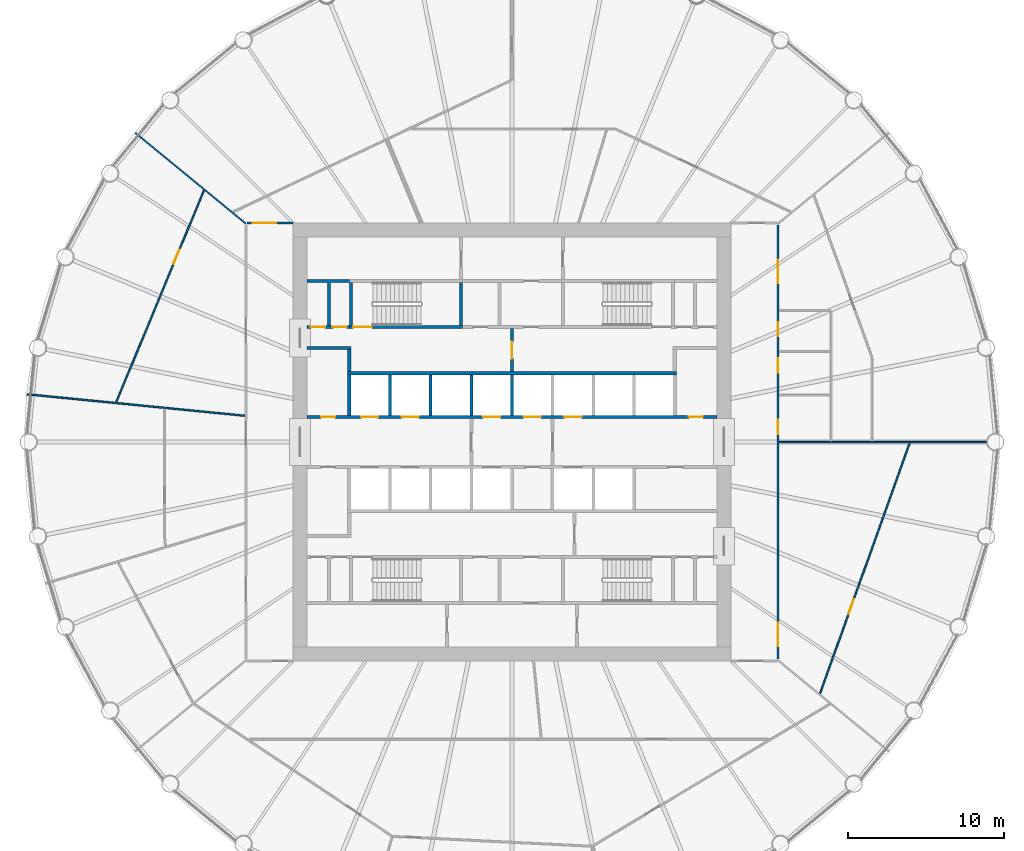
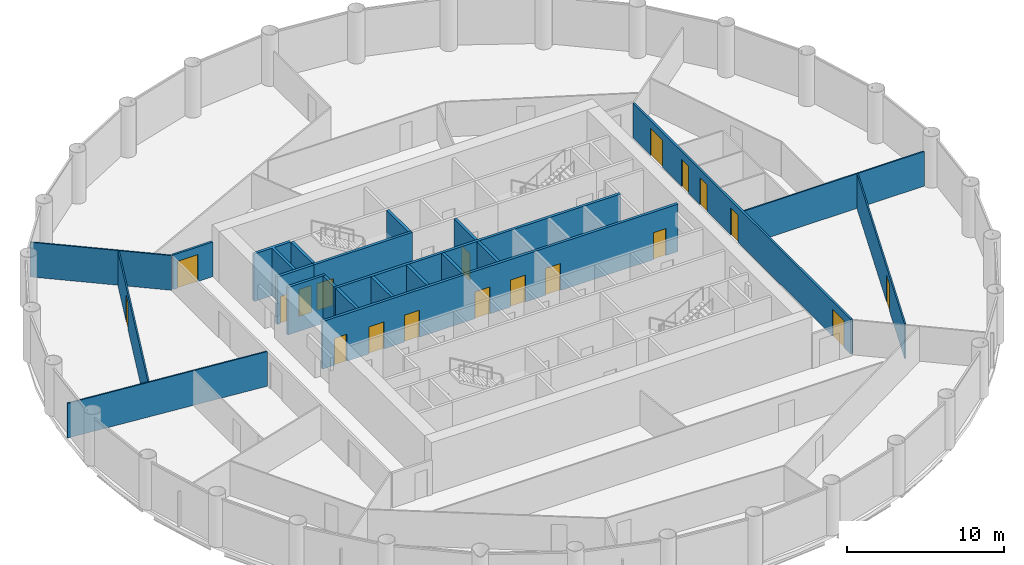
# One storey, part 6 of 9: 22 walls, 19 doors, 19 openings.
"""IFC4 building model written with IfcOpenShell, lengths in metres."""

from ifc_helpers import new_model, si_unit, direction, frame, frame_2d, origin, place, context, subcontext, project, spatial, polyline, rectangle, outline, extrude, material, layer, layer_set, type_object, element, fill, save


model = new_model("IFC4")

# Units and contexts
model_context = context("Model", 3, precision=1e-05, world=origin(), true_north=direction((0.0, 1.0)))
body_context = subcontext(model_context, "Body", "Model", "MODEL_VIEW")
ifc_project = project(units=[si_unit("LENGTHUNIT", "METRE"), si_unit("AREAUNIT", "SQUARE_METRE"), si_unit("VOLUMEUNIT", "CUBIC_METRE"), si_unit("PLANEANGLEUNIT", "RADIAN"), si_unit("MASSUNIT", "GRAM", prefix="KILO")], contexts=[model_context])

# Site, building, storey
site_placement = place(None, origin())
site = spatial("IfcSite", under=ifc_project, at=site_placement, CompositionType="ELEMENT")
building_placement = place(site_placement, origin())
building = spatial("IfcBuilding", under=site, at=building_placement, Name="Corvane Civic Tower", CompositionType="ELEMENT")
storey_placement = place(building_placement, frame((0.0, 0.0, 148.0)))
storey = spatial("IfcBuildingStorey", under=building, at=storey_placement, Name="L34", CompositionType="ELEMENT", Elevation=148.0)

# Wall, openings, doors
ifc_material_1 = material(Name="Concrete C30/37", Category="concrete")
ifc_layer_1 = layer(ifc_material_1, 0.199951171875)
ifc_layer_set_1 = layer_set([ifc_layer_1], Name="Concrete C30/37")
wall_type_1 = type_object("IfcWallType", Name="CR-WALL-200", PredefinedType="PARTITIONING", material=ifc_layer_set_1)
wall_1_placement = place(storey_placement, frame((-13.10009765625, 1.60009765625, 0.0), z_axis=(0.0, 0.0, 1.0), x_axis=(1.0, 0.0, 0.0)))
wall_1 = element("IfcWall", 1, at=wall_1_placement, inside=storey, type_object=wall_type_1, Name="L34 lift shaft wall", PredefinedType="PARTITIONING", context=body_context, shape_type="SweptSolid", body=[
    extrude(rectangle(XDim=26.2001953125, YDim=0.199951171875, at=frame_2d((13.10009765625, 0.0))), origin(), (0.0, 0.0, 1.0), 3.699951171875),
])
opening_1_placement = place(wall_1_placement, frame((3.449951171875, 0.0, 0.0)))
opening_1 = element("IfcOpeningElement", 2, at=opening_1_placement, cuts=wall_1, Name="Opening LD", PredefinedType="OPENING", context=body_context, shape_type="SweptSolid", body=[
    extrude(rectangle(XDim=1.10009765625, YDim=2.10009765625, at=frame_2d((0.550048828125, 1.050048828125))), frame((0.0, 0.10986328125, 0.0), z_axis=(0.0, -1.0, 0.0), x_axis=(1.0, 0.0, 0.0)), (0.0, 0.0, 1.0), 0.219970703125),
])
opening_2_placement = place(wall_1_placement, frame((6.050048828125, 0.0, 0.0)))
opening_2 = element("IfcOpeningElement", 3, at=opening_2_placement, cuts=wall_1, Name="Opening LD", PredefinedType="OPENING", context=body_context, shape_type="SweptSolid", body=[
    extrude(rectangle(XDim=1.10009765625, YDim=2.10009765625, at=frame_2d((0.550048828125, 1.050048828125))), frame((0.0, 0.10986328125, 0.0), z_axis=(0.0, -1.0, 0.0), x_axis=(1.0, 0.0, 0.0)), (0.0, 0.0, 1.0), 0.219970703125),
])
opening_3_placement = place(wall_1_placement, frame((11.25, 0.0, 0.0)))
opening_3 = element("IfcOpeningElement", 4, at=opening_3_placement, cuts=wall_1, Name="Opening LD", PredefinedType="OPENING", context=body_context, shape_type="SweptSolid", body=[
    extrude(rectangle(XDim=1.10009765625, YDim=2.10009765625, at=frame_2d((0.550048828125, 1.050048828125))), frame((0.0, 0.10986328125, 0.0), z_axis=(0.0, -1.0, 0.0), x_axis=(1.0, 0.0, 0.0)), (0.0, 0.0, 1.0), 0.219970703125),
])
opening_4_placement = place(wall_1_placement, frame((13.85009765625, 0.0, 0.0)))
opening_4 = element("IfcOpeningElement", 5, at=opening_4_placement, cuts=wall_1, Name="Opening LD", PredefinedType="OPENING", context=body_context, shape_type="SweptSolid", body=[
    extrude(rectangle(XDim=1.10009765625, YDim=2.10009765625, at=frame_2d((0.550048828125, 1.050048828125))), frame((0.0, 0.10986328125, 0.0), z_axis=(0.0, -1.0, 0.0), x_axis=(1.0, 0.0, 0.0)), (0.0, 0.0, 1.0), 0.219970703125),
])
opening_5_placement = place(wall_1_placement, frame((16.449951171875, 0.0, 0.0)))
opening_5 = element("IfcOpeningElement", 6, at=opening_5_placement, cuts=wall_1, Name="Opening LD", PredefinedType="OPENING", context=body_context, shape_type="SweptSolid", body=[
    extrude(rectangle(XDim=1.10009765625, YDim=2.10009765625, at=frame_2d((0.550048828125, 1.050048828125))), frame((0.0, 0.10986328125, 0.0), z_axis=(0.0, -1.0, 0.0), x_axis=(1.0, 0.0, 0.0)), (0.0, 0.0, 1.0), 0.219970703125),
])
opening_6_placement = place(wall_1_placement, frame((0.89990234375, 0.0, 0.0)))
opening_6 = element("IfcOpeningElement", 7, at=opening_6_placement, cuts=wall_1, Name="Opening L34.C01", PredefinedType="OPENING", context=body_context, shape_type="SweptSolid", body=[
    extrude(rectangle(XDim=0.89990234375, YDim=2.10009765625, at=frame_2d((0.449951171875, 1.050048828125))), frame((0.0, 0.10986328125, 0.0), z_axis=(0.0, -1.0, 0.0), x_axis=(1.0, 0.0, 0.0)), (0.0, 0.0, 1.0), 0.219970703125),
])
opening_7_placement = place(wall_1_placement, frame((24.39990234375, 0.0, 0.0)))
opening_7 = element("IfcOpeningElement", 8, at=opening_7_placement, cuts=wall_1, Name="Opening L34.C02", PredefinedType="OPENING", context=body_context, shape_type="SweptSolid", body=[
    extrude(rectangle(XDim=0.89990234375, YDim=2.10009765625, at=frame_2d((0.449951171875, 1.050048828125))), frame((0.0, 0.10986328125, 0.0), z_axis=(0.0, -1.0, 0.0), x_axis=(1.0, 0.0, 0.0)), (0.0, 0.0, 1.0), 0.219970703125),
])
ifc_material_2 = material(Name="Steel fire door leaf", Category="steel")
door_type_1 = type_object("IfcDoorType", Name="CR-DOOR-900", OperationType="SINGLE_SWING_LEFT", PredefinedType="DOOR", material=ifc_material_2)
door_1_placement = place(opening_6_placement, origin())
door_1 = element("IfcDoor", 9, at=door_1_placement, inside=storey, type_object=door_type_1, Name="L34 door", OperationType="SINGLE_SWING_LEFT", OverallHeight=2.10009765625, OverallWidth=0.89990234375, PredefinedType="DOOR", context=body_context, shape_type="SweptSolid", body=[
    extrude(rectangle(XDim=0.89990234375, YDim=2.10009765625, at=frame_2d((0.449951171875, 1.050048828125))), frame((0.0, 0.02490234375, 0.0), z_axis=(0.0, -1.0, 0.0), x_axis=(1.0, 0.0, 0.0)), (0.0, 0.0, 1.0), 0.050048828125),
])
fill(opening_6, door_1)
door_2_placement = place(opening_7_placement, origin())
door_2 = element("IfcDoor", 10, at=door_2_placement, inside=storey, type_object=door_type_1, Name="L34 door", OperationType="SINGLE_SWING_LEFT", OverallHeight=2.10009765625, OverallWidth=0.89990234375, PredefinedType="DOOR", context=body_context, shape_type="SweptSolid", body=[
    extrude(rectangle(XDim=0.89990234375, YDim=2.10009765625, at=frame_2d((0.449951171875, 1.050048828125))), frame((0.0, 0.02490234375, 0.0), z_axis=(0.0, -1.0, 0.0), x_axis=(1.0, 0.0, 0.0)), (0.0, 0.0, 1.0), 0.050048828125),
])
fill(opening_7, door_2)
ifc_material_3 = material(Name="Stainless steel 316 door leaves", Category="steel")
door_type_2 = type_object("IfcDoorType", Name="LD", OperationType="DOUBLE_DOOR_SLIDING", PredefinedType="DOOR", material=ifc_material_3)
door_3_placement = place(opening_1_placement, origin())
door_3 = element("IfcDoor", 11, at=door_3_placement, inside=storey, type_object=door_type_2, Name="L34 landing door", OperationType="DOUBLE_DOOR_SLIDING", OverallHeight=2.10009765625, OverallWidth=1.10009765625, PredefinedType="DOOR", context=body_context, shape_type="SweptSolid", body=[
    extrude(rectangle(XDim=1.10009765625, YDim=2.10009765625, at=frame_2d((0.550048828125, 1.050048828125))), frame((0.0, 0.02490234375, 0.0), z_axis=(0.0, -1.0, 0.0), x_axis=(1.0, 0.0, 0.0)), (0.0, 0.0, 1.0), 0.050048828125),
])
fill(opening_1, door_3)
door_4_placement = place(opening_2_placement, origin())
door_4 = element("IfcDoor", 12, at=door_4_placement, inside=storey, type_object=door_type_2, Name="L34 landing door", OperationType="DOUBLE_DOOR_SLIDING", OverallHeight=2.10009765625, OverallWidth=1.10009765625, PredefinedType="DOOR", context=body_context, shape_type="SweptSolid", body=[
    extrude(rectangle(XDim=1.10009765625, YDim=2.10009765625, at=frame_2d((0.550048828125, 1.050048828125))), frame((0.0, 0.02490234375, 0.0), z_axis=(0.0, -1.0, 0.0), x_axis=(1.0, 0.0, 0.0)), (0.0, 0.0, 1.0), 0.050048828125),
])
fill(opening_2, door_4)
door_5_placement = place(opening_3_placement, origin())
door_5 = element("IfcDoor", 13, at=door_5_placement, inside=storey, type_object=door_type_2, Name="L34 landing door", OperationType="DOUBLE_DOOR_SLIDING", OverallHeight=2.10009765625, OverallWidth=1.10009765625, PredefinedType="DOOR", context=body_context, shape_type="SweptSolid", body=[
    extrude(rectangle(XDim=1.10009765625, YDim=2.10009765625, at=frame_2d((0.550048828125, 1.050048828125))), frame((0.0, 0.02490234375, 0.0), z_axis=(0.0, -1.0, 0.0), x_axis=(1.0, 0.0, 0.0)), (0.0, 0.0, 1.0), 0.050048828125),
])
fill(opening_3, door_5)
door_6_placement = place(opening_4_placement, origin())
door_6 = element("IfcDoor", 14, at=door_6_placement, inside=storey, type_object=door_type_2, Name="L34 landing door", OperationType="DOUBLE_DOOR_SLIDING", OverallHeight=2.10009765625, OverallWidth=1.10009765625, PredefinedType="DOOR", context=body_context, shape_type="SweptSolid", body=[
    extrude(rectangle(XDim=1.10009765625, YDim=2.10009765625, at=frame_2d((0.550048828125, 1.050048828125))), frame((0.0, 0.02490234375, 0.0), z_axis=(0.0, -1.0, 0.0), x_axis=(1.0, 0.0, 0.0)), (0.0, 0.0, 1.0), 0.050048828125),
])
fill(opening_4, door_6)
door_7_placement = place(opening_5_placement, origin())
door_7 = element("IfcDoor", 15, at=door_7_placement, inside=storey, type_object=door_type_2, Name="L34 landing door", OperationType="DOUBLE_DOOR_SLIDING", OverallHeight=2.10009765625, OverallWidth=1.10009765625, PredefinedType="DOOR", context=body_context, shape_type="SweptSolid", body=[
    extrude(rectangle(XDim=1.10009765625, YDim=2.10009765625, at=frame_2d((0.550048828125, 1.050048828125))), frame((0.0, 0.02490234375, 0.0), z_axis=(0.0, -1.0, 0.0), x_axis=(1.0, 0.0, 0.0)), (0.0, 0.0, 1.0), 0.050048828125),
])
fill(opening_5, door_7)

wall_2_placement = place(storey_placement, frame((-13.10009765625, 7.35009765625, 0.0), z_axis=(0.0, 0.0, 1.0), x_axis=(1.0, 0.0, 0.0)))
wall_2 = element("IfcWall", 16, at=wall_2_placement, inside=storey, type_object=wall_type_1, Name="L34 core partition wall", PredefinedType="PARTITIONING", context=body_context, shape_type="SweptSolid", body=[
    extrude(rectangle(XDim=2.7001953125, YDim=0.199951171875, at=frame_2d((1.35009765625, 0.0))), origin(), (0.0, 0.0, 1.0), 3.699951171875),
])
opening_8_placement = place(wall_2_placement, frame((0.25, 0.0, 0.0)))
opening_8 = element("IfcOpeningElement", 17, at=opening_8_placement, cuts=wall_2, Name="Opening L34.C16", PredefinedType="OPENING", context=body_context, shape_type="SweptSolid", body=[
    extrude(rectangle(XDim=0.89990234375, YDim=2.10009765625, at=frame_2d((0.449951171875, 1.050048828125))), frame((0.0, 0.10986328125, 0.0), z_axis=(0.0, -1.0, 0.0), x_axis=(1.0, 0.0, 0.0)), (0.0, 0.0, 1.0), 0.219970703125),
])
opening_9_placement = place(wall_2_placement, frame((1.64990234375, 0.0, 0.0)))
opening_9 = element("IfcOpeningElement", 18, at=opening_9_placement, cuts=wall_2, Name="Opening L34.C17", PredefinedType="OPENING", context=body_context, shape_type="SweptSolid", body=[
    extrude(rectangle(XDim=0.89990234375, YDim=2.10009765625, at=frame_2d((0.449951171875, 1.050048828125))), frame((0.0, 0.10986328125, 0.0), z_axis=(0.0, -1.0, 0.0), x_axis=(1.0, 0.0, 0.0)), (0.0, 0.0, 1.0), 0.219970703125),
])
door_8_placement = place(opening_8_placement, origin())
door_8 = element("IfcDoor", 19, at=door_8_placement, inside=storey, type_object=door_type_1, Name="L34 door", OperationType="SINGLE_SWING_LEFT", OverallHeight=2.10009765625, OverallWidth=0.89990234375, PredefinedType="DOOR", context=body_context, shape_type="SweptSolid", body=[
    extrude(rectangle(XDim=0.89990234375, YDim=2.10009765625, at=frame_2d((0.449951171875, 1.050048828125))), frame((0.0, 0.02490234375, 0.0), z_axis=(0.0, -1.0, 0.0), x_axis=(1.0, 0.0, 0.0)), (0.0, 0.0, 1.0), 0.050048828125),
])
fill(opening_8, door_8)
door_9_placement = place(opening_9_placement, origin())
door_9 = element("IfcDoor", 20, at=door_9_placement, inside=storey, type_object=door_type_1, Name="L34 door", OperationType="SINGLE_SWING_LEFT", OverallHeight=2.10009765625, OverallWidth=0.89990234375, PredefinedType="DOOR", context=body_context, shape_type="SweptSolid", body=[
    extrude(rectangle(XDim=0.89990234375, YDim=2.10009765625, at=frame_2d((0.449951171875, 1.050048828125))), frame((0.0, 0.02490234375, 0.0), z_axis=(0.0, -1.0, 0.0), x_axis=(1.0, 0.0, 0.0)), (0.0, 0.0, 1.0), 0.050048828125),
])
fill(opening_9, door_9)

# Wall, opening, door
wall_3_placement = place(storey_placement, frame((0.0, 4.5, 0.0), z_axis=(0.0, 0.0, 1.0), x_axis=(0.0, 1.0, 0.0)))
wall_3 = element("IfcWall", 21, at=wall_3_placement, inside=storey, type_object=wall_type_1, Name="L34 core partition wall", PredefinedType="PARTITIONING", context=body_context, shape_type="SweptSolid", body=[
    extrude(rectangle(XDim=2.75, YDim=0.199951171875, at=frame_2d((1.375, 0.0))), origin(), (0.0, 0.0, 1.0), 3.699951171875),
])
opening_10_placement = place(wall_3_placement, frame((0.824951171875, 0.0, 0.0)))
opening_10 = element("IfcOpeningElement", 22, at=opening_10_placement, cuts=wall_3, Name="Opening L34.C30", PredefinedType="OPENING", context=body_context, shape_type="SweptSolid", body=[
    extrude(rectangle(XDim=1.10009765625, YDim=2.10009765625, at=frame_2d((0.550048828125, 1.050048828125))), frame((0.0, 0.10986328125, 0.0), z_axis=(0.0, -1.0, 0.0), x_axis=(1.0, 0.0, 0.0)), (0.0, 0.0, 1.0), 0.219970703125),
])
ifc_material_4 = material(Name="Steel fire door leaf", Category="steel")
door_type_3 = type_object("IfcDoorType", Name="CR-DOOR-FFL-1100", OperationType="SINGLE_SWING_LEFT", PredefinedType="DOOR", material=ifc_material_4)
door_10_placement = place(opening_10_placement, origin())
door_10 = element("IfcDoor", 23, at=door_10_placement, inside=storey, type_object=door_type_3, Name="L34 lobby door", OperationType="SINGLE_SWING_LEFT", OverallHeight=2.10009765625, OverallWidth=1.10009765625, PredefinedType="DOOR", context=body_context, shape_type="SweptSolid", body=[
    extrude(rectangle(XDim=1.10009765625, YDim=2.10009765625, at=frame_2d((0.550048828125, 1.050048828125))), frame((0.0, 0.02490234375, 0.0), z_axis=(0.0, -1.0, 0.0), x_axis=(1.0, 0.0, 0.0)), (0.0, 0.0, 1.0), 0.050048828125),
])
fill(opening_10, door_10)

# Walls
wall_4_placement = place(storey_placement, origin())
element("IfcWall", 24, at=wall_4_placement, inside=storey, type_object=wall_type_1, Name="L34 core partition wall", PredefinedType="PARTITIONING", context=body_context, shape_type="SweptSolid", body=[
    extrude(outline(polyline([(10.5, 4.5), (10.5, 4.300048828125), (-10.5, 4.300048828125), (-10.5, 4.5), (10.5, 4.5)])), origin(), (0.0, 0.0, 1.0), 3.699951171875),
])
wall_5_placement = place(storey_placement, origin())
element("IfcWall", 25, at=wall_5_placement, inside=storey, type_object=wall_type_1, Name="L34 core partition wall", PredefinedType="PARTITIONING", context=body_context, shape_type="SweptSolid", body=[
    extrude(outline(polyline([(-10.300048828125, 5.89990234375), (-13.10009765625, 5.89990234375), (-13.10009765625, 6.10009765625), (-10.300048828125, 6.10009765625), (-10.300048828125, 5.89990234375)])), origin(), (0.0, 0.0, 1.0), 3.699951171875),
])
wall_6_placement = place(storey_placement, origin())
element("IfcWall", 26, at=wall_6_placement, inside=storey, type_object=wall_type_1, Name="L34 core partition wall", PredefinedType="PARTITIONING", context=body_context, shape_type="SweptSolid", body=[
    extrude(outline(polyline([(-2.5, 1.699951171875), (-2.699951171875, 1.699951171875), (-2.699951171875, 4.2998046875), (-2.5, 4.2998046875), (-2.5, 1.699951171875)])), origin(), (0.0, 0.0, 1.0), 3.699951171875),
])
wall_7_placement = place(storey_placement, origin())
element("IfcWall", 27, at=wall_7_placement, inside=storey, type_object=wall_type_1, Name="L34 core partition wall", PredefinedType="PARTITIONING", context=body_context, shape_type="SweptSolid", body=[
    extrude(outline(polyline([(0.10009765625, 1.699951171875), (-0.10009765625, 1.699951171875), (-0.10009765625, 4.2998046875), (0.10009765625, 4.2998046875), (0.10009765625, 1.699951171875)])), origin(), (0.0, 0.0, 1.0), 3.699951171875),
])
wall_8_placement = place(storey_placement, origin())
element("IfcWall", 28, at=wall_8_placement, inside=storey, type_object=wall_type_1, Name="L34 core partition wall", PredefinedType="PARTITIONING", context=body_context, shape_type="SweptSolid", body=[
    extrude(outline(polyline([(-10.300048828125, 1.699951171875), (-10.5, 1.699951171875), (-10.5, 4.2998046875), (-10.300048828125, 4.2998046875), (-10.300048828125, 1.699951171875)])), origin(), (0.0, 0.0, 1.0), 3.699951171875),
])
wall_9_placement = place(storey_placement, origin())
element("IfcWall", 29, at=wall_9_placement, inside=storey, type_object=wall_type_1, Name="L34 core partition wall", PredefinedType="PARTITIONING", context=body_context, shape_type="SweptSolid", body=[
    extrude(outline(polyline([(-7.699951171875, 1.699951171875), (-7.89990234375, 1.699951171875), (-7.89990234375, 4.2998046875), (-7.699951171875, 4.2998046875), (-7.699951171875, 1.699951171875)])), origin(), (0.0, 0.0, 1.0), 3.699951171875),
])
wall_10_placement = place(storey_placement, origin())
element("IfcWall", 30, at=wall_10_placement, inside=storey, type_object=wall_type_1, Name="L34 core partition wall", PredefinedType="PARTITIONING", context=body_context, shape_type="SweptSolid", body=[
    extrude(outline(polyline([(-5.10009765625, 1.699951171875), (-5.300048828125, 1.699951171875), (-5.300048828125, 4.2998046875), (-5.10009765625, 4.2998046875), (-5.10009765625, 1.699951171875)])), origin(), (0.0, 0.0, 1.0), 3.699951171875),
])
wall_11_placement = place(storey_placement, origin())
element("IfcWall", 31, at=wall_11_placement, inside=storey, type_object=wall_type_1, Name="L34 core partition wall", PredefinedType="PARTITIONING", context=body_context, shape_type="SweptSolid", body=[
    extrude(outline(polyline([(-10.300048828125, 4.5), (-10.5, 4.5), (-10.5, 5.89990234375), (-10.300048828125, 5.89990234375), (-10.300048828125, 4.5)])), origin(), (0.0, 0.0, 1.0), 3.699951171875),
])
wall_12_placement = place(storey_placement, origin())
element("IfcWall", 32, at=wall_12_placement, inside=storey, type_object=wall_type_1, Name="L34 core partition wall", PredefinedType="PARTITIONING", context=body_context, shape_type="SweptSolid", body=[
    extrude(outline(polyline([(-13.10009765625, 10.39990234375), (-10.39990234375, 10.39990234375), (-10.39990234375, 10.199951171875), (-11.60009765625, 10.199951171875), (-11.60009765625, 7.449951171875), (-11.800048828125, 7.449951171875), (-11.800048828125, 10.199951171875), (-13.10009765625, 10.199951171875), (-13.10009765625, 10.39990234375)])), origin(), (0.0, 0.0, 1.0), 3.699951171875),
])

# Wall, opening, door
ifc_material_5 = material(Name="Plasterboard")
ifc_layer_2 = layer(ifc_material_5, 0.10009765625)
ifc_layer_set_2 = layer_set([ifc_layer_2], Name="Plasterboard")
wall_type_2 = type_object("IfcWallType", Name="Partition 100 plasterboard on studs", PredefinedType="PARTITIONING", material=ifc_layer_set_2)
wall_13_placement = place(storey_placement, frame((19.69189453125, -16.07421875, 0.0), z_axis=(0.0, 0.0, 1.0), x_axis=(0.33689125471, 0.941543563782, 0.0)))
wall_13 = element("IfcWall", 33, at=wall_13_placement, inside=storey, type_object=wall_type_2, Name="Partition L34.011", PredefinedType="PARTITIONING", context=body_context, shape_type="SweptSolid", body=[
    extrude(rectangle(XDim=17.001220703125, YDim=0.10009765625, at=frame_2d((8.50048828125, 0.0))), origin(), (0.0, 0.0, 1.0), 2.699951171875),
])
opening_11_placement = place(wall_13_placement, frame((5.40478515625, 0.0, 0.0)))
opening_11 = element("IfcOpeningElement", 34, at=opening_11_placement, cuts=wall_13, Name="Opening L34.017", PredefinedType="OPENING", context=body_context, shape_type="SweptSolid", body=[
    extrude(rectangle(XDim=1.0, YDim=2.10009765625, at=frame_2d((0.5, 1.050048828125))), frame((0.0, 0.06005859375, 0.0), z_axis=(0.0, -1.0, 0.0), x_axis=(1.0, 0.0, 0.0)), (0.0, 0.0, 1.0), 0.1201171875),
])
ifc_material_6 = material(Name="Timber", Category="wood")
door_type_4 = type_object("IfcDoorType", Name="Single door 1000", OperationType="NOTDEFINED", PredefinedType="DOOR", material=ifc_material_6)
door_11_placement = place(opening_11_placement, frame((1.0, 0.0, 0.0), z_axis=(0.0, 0.0, 1.0), x_axis=(-1.0, 0.0, 0.0)))
door_11 = element("IfcDoor", 35, at=door_11_placement, inside=storey, type_object=door_type_4, Name="Door L34.017", OperationType="SINGLE_SWING_RIGHT", OverallHeight=2.10009765625, OverallWidth=1.0, PredefinedType="DOOR", context=body_context, shape_type="SweptSolid", body=[
    extrude(rectangle(XDim=1.0, YDim=2.10009765625, at=frame_2d((0.5, 1.050048828125))), frame((0.0, 0.02490234375, 0.0), z_axis=(0.0, -1.0, 0.0), x_axis=(1.0, 0.0, 0.0)), (0.0, 0.0, 1.0), 0.050048828125),
])
fill(opening_11, door_11)

# Walls
wall_14_placement = place(storey_placement, frame((17.074951171875, 0.0, 0.0), z_axis=(0.0, 0.0, 1.0), x_axis=(1.0, 0.0, 0.0)))
element("IfcWall", 36, at=wall_14_placement, inside=storey, type_object=wall_type_2, Name="Partition L34.019", PredefinedType="PARTITIONING", context=body_context, shape_type="SweptSolid", body=[
    extrude(rectangle(XDim=13.264892578125, YDim=0.10009765625, at=frame_2d((6.63232421875, 0.0))), origin(), (0.0, 0.0, 1.0), 2.699951171875),
])
wall_15_placement = place(storey_placement, frame((-31.000244140625, 3.05322265625, 0.0), z_axis=(0.0, 0.0, 1.0), x_axis=(0.995184356936, -0.098020894254, 0.0)))
element("IfcWall", 37, at=wall_15_placement, inside=storey, type_object=wall_type_2, Name="Partition L34.022", PredefinedType="PARTITIONING", context=body_context, shape_type="SweptSolid", body=[
    extrude(rectangle(XDim=13.98779296875, YDim=0.10009765625, at=frame_2d((6.993896484375, 0.0))), origin(), (0.0, 0.0, 1.0), 2.699951171875),
])

# Wall, opening, door
wall_16_placement = place(storey_placement, frame((-25.295166015625, 2.55615234375, 0.0), z_axis=(0.0, 0.0, 1.0), x_axis=(0.382699448877, 0.923872898092, 0.0)))
wall_16 = element("IfcWall", 38, at=wall_16_placement, inside=storey, type_object=wall_type_2, Name="Partition L34.023", PredefinedType="PARTITIONING", context=body_context, shape_type="SweptSolid", body=[
    extrude(rectangle(XDim=14.636962890625, YDim=0.10009765625, at=frame_2d((7.318359375, 0.0))), origin(), (0.0, 0.0, 1.0), 2.699951171875),
])
opening_12_placement = place(wall_16_placement, frame((9.544921875, 0.0, 0.0)))
opening_12 = element("IfcOpeningElement", 39, at=opening_12_placement, cuts=wall_16, Name="Opening L34.023", PredefinedType="OPENING", context=body_context, shape_type="SweptSolid", body=[
    extrude(rectangle(XDim=1.0, YDim=2.10009765625, at=frame_2d((0.5, 1.050048828125))), frame((0.0, 0.06005859375, 0.0), z_axis=(0.0, -1.0, 0.0), x_axis=(1.0, 0.0, 0.0)), (0.0, 0.0, 1.0), 0.1201171875),
])
door_12_placement = place(opening_12_placement, origin())
door_12 = element("IfcDoor", 40, at=door_12_placement, inside=storey, type_object=door_type_4, Name="Door L34.023", OperationType="SINGLE_SWING_RIGHT", OverallHeight=2.10009765625, OverallWidth=1.0, PredefinedType="DOOR", context=body_context, shape_type="SweptSolid", body=[
    extrude(rectangle(XDim=1.0, YDim=2.10009765625, at=frame_2d((0.5, 1.050048828125))), frame((0.0, 0.02490234375, 0.0), z_axis=(0.0, -1.0, 0.0), x_axis=(1.0, 0.0, 0.0)), (0.0, 0.0, 1.0), 0.050048828125),
])
fill(opening_12, door_12)

# Wall
wall_17_placement = place(storey_placement, frame((-24.079345703125, 19.761474609375, 0.0), z_axis=(0.0, 0.0, 1.0), x_axis=(0.773006154143, -0.634398522742, 0.0)))
element("IfcWall", 41, at=wall_17_placement, inside=storey, type_object=wall_type_2, Name="Partition L34.028", PredefinedType="PARTITIONING", context=body_context, shape_type="SweptSolid", body=[
    extrude(rectangle(XDim=9.134521484375, YDim=0.10009765625, at=frame_2d((4.5673828125, 0.0))), origin(), (0.0, 0.0, 1.0), 2.699951171875),
])

# Wall, opening, door
ifc_material_7 = material(Name="Concrete C50/60", Category="concrete")
ifc_layer_3 = layer(ifc_material_7, 0.199951171875)
ifc_layer_set_3 = layer_set([ifc_layer_3], Name="Concrete C50/60")
wall_type_3 = type_object("IfcWallType", Name="ST-WALL-200", PredefinedType="SHEAR", material=ifc_layer_set_3)
wall_18_placement = place(storey_placement, frame((-10.39990234375, 7.35009765625, 0.0), z_axis=(0.0, 0.0, 1.0), x_axis=(1.0, 0.0, 0.0)))
wall_18 = element("IfcWall", 42, at=wall_18_placement, inside=storey, type_object=wall_type_3, Name="L34 stair enclosure wall", PredefinedType="SHEAR", context=body_context, shape_type="SweptSolid", body=[
    extrude(rectangle(XDim=7.25, YDim=0.199951171875, at=frame_2d((3.625, 0.0))), origin(), (0.0, 0.0, 1.0), 3.699951171875),
])
opening_13_placement = place(wall_18_placement, frame((0.25, 0.0, 0.0)))
opening_13 = element("IfcOpeningElement", 43, at=opening_13_placement, cuts=wall_18, Name="Opening L34.C25", PredefinedType="OPENING", context=body_context, shape_type="SweptSolid", body=[
    extrude(rectangle(XDim=1.199951171875, YDim=2.10009765625, at=frame_2d((0.60009765625, 1.050048828125))), frame((0.0, 0.10986328125, 0.0), z_axis=(0.0, -1.0, 0.0), x_axis=(1.0, 0.0, 0.0)), (0.0, 0.0, 1.0), 0.219970703125),
])
ifc_material_8 = material(Name="Steel fire door leaf", Category="steel")
door_type_5 = type_object("IfcDoorType", Name="ST-DOOR-1200", OperationType="SINGLE_SWING_RIGHT", PredefinedType="DOOR", material=ifc_material_8)
door_13_placement = place(opening_13_placement, origin())
door_13 = element("IfcDoor", 44, at=door_13_placement, inside=storey, type_object=door_type_5, Name="L34 stair door", OperationType="SINGLE_SWING_RIGHT", OverallHeight=2.10009765625, OverallWidth=1.199951171875, PredefinedType="DOOR", context=body_context, shape_type="SweptSolid", body=[
    extrude(rectangle(XDim=1.199951171875, YDim=2.10009765625, at=frame_2d((0.60009765625, 1.050048828125))), frame((0.0, 0.02490234375, 0.0), z_axis=(0.0, -1.0, 0.0), x_axis=(1.0, 0.0, 0.0)), (0.0, 0.0, 1.0), 0.050048828125),
])
fill(opening_13, door_13)

# Walls
wall_19_placement = place(storey_placement, origin())
element("IfcWall", 45, at=wall_19_placement, inside=storey, type_object=wall_type_3, Name="L34 stair enclosure wall", PredefinedType="SHEAR", context=body_context, shape_type="SweptSolid", body=[
    extrude(outline(polyline([(-3.14990234375, 7.449951171875), (-3.35009765625, 7.449951171875), (-3.35009765625, 10.199951171875), (-3.14990234375, 10.199951171875), (-3.14990234375, 7.449951171875)])), origin(), (0.0, 0.0, 1.0), 3.699951171875),
])
wall_20_placement = place(storey_placement, origin())
element("IfcWall", 46, at=wall_20_placement, inside=storey, type_object=wall_type_3, Name="L34 stair enclosure wall", PredefinedType="SHEAR", context=body_context, shape_type="SweptSolid", body=[
    extrude(outline(polyline([(-10.199951171875, 7.449951171875), (-10.39990234375, 7.449951171875), (-10.39990234375, 10.199951171875), (-10.199951171875, 10.199951171875), (-10.199951171875, 7.449951171875)])), origin(), (0.0, 0.0, 1.0), 3.699951171875),
])

# Wall, openings, doors
ifc_material_9 = material(Name="Plasterboard")
ifc_layer_4 = layer(ifc_material_9, 0.14990234375)
ifc_layer_set_4 = layer_set([ifc_layer_4], Name="Plasterboard")
wall_type_4 = type_object("IfcWallType", Name="Tenancy wall 150 EI 60", PredefinedType="PARTITIONING", material=ifc_layer_set_4)
wall_21_placement = place(storey_placement, frame((17.0, -13.87646484375, 0.0), z_axis=(0.0, 0.0, 1.0), x_axis=(0.0, 1.0, 0.0)))
wall_21 = element("IfcWall", 47, at=wall_21_placement, inside=storey, type_object=wall_type_4, Name="Partition L34.015", PredefinedType="PARTITIONING", context=body_context, shape_type="SweptSolid", body=[
    extrude(rectangle(XDim=27.7529296875, YDim=0.14990234375, at=frame_2d((13.87646484375, 0.0))), origin(), (0.0, 0.0, 1.0), 2.699951171875),
])
opening_14_placement = place(wall_21_placement, frame((24.015869140625, 0.0, 0.0)))
opening_14 = element("IfcOpeningElement", 48, at=opening_14_placement, cuts=wall_21, Name="Opening L34.013", PredefinedType="OPENING", context=body_context, shape_type="SweptSolid", body=[
    extrude(rectangle(XDim=1.5, YDim=2.10009765625, at=frame_2d((0.75, 1.050048828125))), frame((0.0, 0.0849609375, 0.0), z_axis=(0.0, -1.0, 0.0), x_axis=(1.0, 0.0, 0.0)), (0.0, 0.0, 1.0), 0.169921875),
])
opening_15_placement = place(wall_21_placement, frame((14.388427734375, 0.0, 0.0)))
opening_15 = element("IfcOpeningElement", 49, at=opening_15_placement, cuts=wall_21, Name="Opening L34.014", PredefinedType="OPENING", context=body_context, shape_type="SweptSolid", body=[
    extrude(rectangle(XDim=0.89990234375, YDim=2.10009765625, at=frame_2d((0.449951171875, 1.050048828125))), frame((0.0, 0.0849609375, 0.0), z_axis=(0.0, -1.0, 0.0), x_axis=(1.0, 0.0, 0.0)), (0.0, 0.0, 1.0), 0.169921875),
])
opening_16_placement = place(wall_21_placement, frame((18.321533203125, 0.0, 0.0)))
opening_16 = element("IfcOpeningElement", 50, at=opening_16_placement, cuts=wall_21, Name="Opening L34.015", PredefinedType="OPENING", context=body_context, shape_type="SweptSolid", body=[
    extrude(rectangle(XDim=0.89990234375, YDim=2.10009765625, at=frame_2d((0.449951171875, 1.050048828125))), frame((0.0, 0.0849609375, 0.0), z_axis=(0.0, -1.0, 0.0), x_axis=(1.0, 0.0, 0.0)), (0.0, 0.0, 1.0), 0.169921875),
])
opening_17_placement = place(wall_21_placement, frame((20.64306640625, 0.0, 0.0)))
opening_17 = element("IfcOpeningElement", 51, at=opening_17_placement, cuts=wall_21, Name="Opening L34.016", PredefinedType="OPENING", context=body_context, shape_type="SweptSolid", body=[
    extrude(rectangle(XDim=0.89990234375, YDim=2.10009765625, at=frame_2d((0.449951171875, 1.050048828125))), frame((0.0, 0.0849609375, 0.0), z_axis=(0.0, -1.0, 0.0), x_axis=(1.0, 0.0, 0.0)), (0.0, 0.0, 1.0), 0.169921875),
])
opening_18_placement = place(wall_21_placement, frame((0.81689453125, 0.0, 0.0)))
opening_18 = element("IfcOpeningElement", 52, at=opening_18_placement, cuts=wall_21, Name="Opening L34.018", PredefinedType="OPENING", context=body_context, shape_type="SweptSolid", body=[
    extrude(rectangle(XDim=1.5, YDim=2.10009765625, at=frame_2d((0.75, 1.050048828125))), frame((0.0, 0.0849609375, 0.0), z_axis=(0.0, -1.0, 0.0), x_axis=(1.0, 0.0, 0.0)), (0.0, 0.0, 1.0), 0.169921875),
])
ifc_material_10 = material(Name="Steel and timber", Category="steel")
door_type_6 = type_object("IfcDoorType", Name="Fire door FD30S 900", OperationType="NOTDEFINED", PredefinedType="DOOR", material=ifc_material_10)
door_14_placement = place(opening_15_placement, frame((0.89990234375, 0.0, 0.0), z_axis=(0.0, 0.0, 1.0), x_axis=(-1.0, 0.0, 0.0)))
door_14 = element("IfcDoor", 53, at=door_14_placement, inside=storey, type_object=door_type_6, Name="Door L34.014", OperationType="SINGLE_SWING_RIGHT", OverallHeight=2.10009765625, OverallWidth=0.89990234375, PredefinedType="DOOR", context=body_context, shape_type="SweptSolid", body=[
    extrude(rectangle(XDim=0.89990234375, YDim=2.10009765625, at=frame_2d((0.449951171875, 1.050048828125))), frame((0.0, 0.02490234375, 0.0), z_axis=(0.0, -1.0, 0.0), x_axis=(1.0, 0.0, 0.0)), (0.0, 0.0, 1.0), 0.050048828125),
])
fill(opening_15, door_14)
door_15_placement = place(opening_16_placement, frame((0.89990234375, 0.0, 0.0), z_axis=(0.0, 0.0, 1.0), x_axis=(-1.0, 0.0, 0.0)))
door_15 = element("IfcDoor", 54, at=door_15_placement, inside=storey, type_object=door_type_6, Name="Door L34.015", OperationType="SINGLE_SWING_LEFT", OverallHeight=2.10009765625, OverallWidth=0.89990234375, PredefinedType="DOOR", context=body_context, shape_type="SweptSolid", body=[
    extrude(rectangle(XDim=0.89990234375, YDim=2.10009765625, at=frame_2d((0.449951171875, 1.050048828125))), frame((0.0, 0.02490234375, 0.0), z_axis=(0.0, -1.0, 0.0), x_axis=(1.0, 0.0, 0.0)), (0.0, 0.0, 1.0), 0.050048828125),
])
fill(opening_16, door_15)
door_16_placement = place(opening_17_placement, frame((0.89990234375, 0.0, 0.0), z_axis=(0.0, 0.0, 1.0), x_axis=(-1.0, 0.0, 0.0)))
door_16 = element("IfcDoor", 55, at=door_16_placement, inside=storey, type_object=door_type_6, Name="Door L34.016", OperationType="SINGLE_SWING_LEFT", OverallHeight=2.10009765625, OverallWidth=0.89990234375, PredefinedType="DOOR", context=body_context, shape_type="SweptSolid", body=[
    extrude(rectangle(XDim=0.89990234375, YDim=2.10009765625, at=frame_2d((0.449951171875, 1.050048828125))), frame((0.0, 0.02490234375, 0.0), z_axis=(0.0, -1.0, 0.0), x_axis=(1.0, 0.0, 0.0)), (0.0, 0.0, 1.0), 0.050048828125),
])
fill(opening_17, door_16)
ifc_material_11 = material(Name="Steel and timber", Category="steel")
door_type_7 = type_object("IfcDoorType", Name="Fire door FD60 double 1500", OperationType="NOTDEFINED", PredefinedType="DOOR", material=ifc_material_11)
door_17_placement = place(opening_14_placement, frame((1.5, 0.0, 0.0), z_axis=(0.0, 0.0, 1.0), x_axis=(-1.0, 0.0, 0.0)))
door_17 = element("IfcDoor", 56, at=door_17_placement, inside=storey, type_object=door_type_7, Name="Door L34.013", OperationType="DOUBLE_DOOR_SINGLE_SWING", OverallHeight=2.10009765625, OverallWidth=1.5, PredefinedType="DOOR", context=body_context, shape_type="SweptSolid", body=[
    extrude(rectangle(XDim=1.5, YDim=2.10009765625, at=frame_2d((0.75, 1.050048828125))), frame((0.0, 0.02490234375, 0.0), z_axis=(0.0, -1.0, 0.0), x_axis=(1.0, 0.0, 0.0)), (0.0, 0.0, 1.0), 0.050048828125),
])
fill(opening_14, door_17)
door_18_placement = place(opening_18_placement, frame((1.5, 0.0, 0.0), z_axis=(0.0, 0.0, 1.0), x_axis=(-1.0, 0.0, 0.0)))
door_18 = element("IfcDoor", 57, at=door_18_placement, inside=storey, type_object=door_type_7, Name="Door L34.018", OperationType="DOUBLE_DOOR_SINGLE_SWING", OverallHeight=2.10009765625, OverallWidth=1.5, PredefinedType="DOOR", context=body_context, shape_type="SweptSolid", body=[
    extrude(rectangle(XDim=1.5, YDim=2.10009765625, at=frame_2d((0.75, 1.050048828125))), frame((0.0, 0.02490234375, 0.0), z_axis=(0.0, -1.0, 0.0), x_axis=(1.0, 0.0, 0.0)), (0.0, 0.0, 1.0), 0.050048828125),
])
fill(opening_18, door_18)

# Wall, opening, door
wall_22_placement = place(storey_placement, frame((-16.925048828125, 14.0, 0.0), z_axis=(0.0, 0.0, 1.0), x_axis=(1.0, 0.0, 0.0)))
wall_22 = element("IfcWall", 58, at=wall_22_placement, inside=storey, type_object=wall_type_4, Name="Partition L34.030", PredefinedType="PARTITIONING", context=body_context, shape_type="SweptSolid", body=[
    extrude(rectangle(XDim=2.93505859375, YDim=0.14990234375, at=frame_2d((1.467529296875, 0.0))), origin(), (0.0, 0.0, 1.0), 2.699951171875),
])
opening_19_placement = place(wall_22_placement, frame((0.33935546875, 0.0, 0.0)))
opening_19 = element("IfcOpeningElement", 59, at=opening_19_placement, cuts=wall_22, Name="Opening L34.003", PredefinedType="OPENING", context=body_context, shape_type="SweptSolid", body=[
    extrude(rectangle(XDim=1.5, YDim=2.10009765625, at=frame_2d((0.75, 1.050048828125))), frame((0.0, 0.0849609375, 0.0), z_axis=(0.0, -1.0, 0.0), x_axis=(1.0, 0.0, 0.0)), (0.0, 0.0, 1.0), 0.169921875),
])
door_19_placement = place(opening_19_placement, origin())
door_19 = element("IfcDoor", 60, at=door_19_placement, inside=storey, type_object=door_type_7, Name="Door L34.003", OperationType="DOUBLE_DOOR_SINGLE_SWING", OverallHeight=2.10009765625, OverallWidth=1.5, PredefinedType="DOOR", context=body_context, shape_type="SweptSolid", body=[
    extrude(rectangle(XDim=1.5, YDim=2.10009765625, at=frame_2d((0.75, 1.050048828125))), frame((0.0, 0.02490234375, 0.0), z_axis=(0.0, -1.0, 0.0), x_axis=(1.0, 0.0, 0.0)), (0.0, 0.0, 1.0), 0.050048828125),
])
fill(opening_19, door_19)

save(model, "model.ifc")
